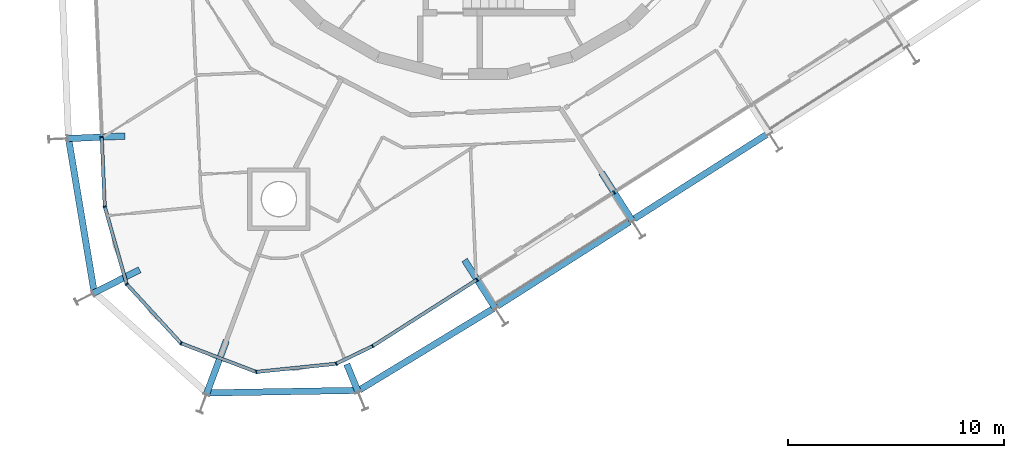
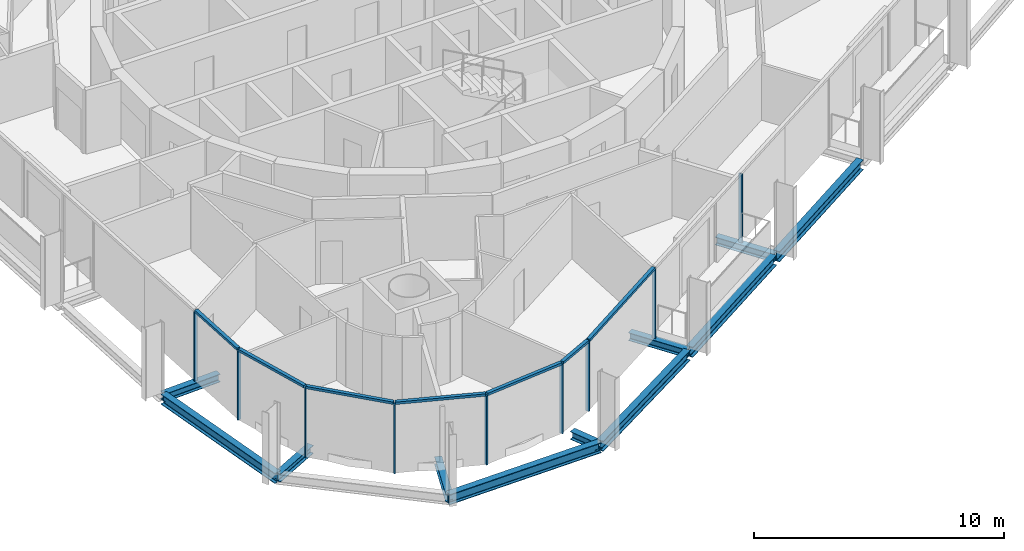
# One storey, part 2 of 18: 16 members, 11 beams, 2 elements without a shape of their own.
"""IFC4 building model written with IfcOpenShell, lengths in metres."""

from ifc_helpers import new_model, si_unit, direction, frame, origin, origin_2d, place, context, subcontext, project, spatial, rectangle, i_section, extrude, material, layer, layer_set, material_profile, profile_set, type_object, element, aggregate, save


model = new_model("IFC4")

# Units and contexts
model_context = context("Model", 3, precision=1e-05, world=origin(), true_north=direction((0.0, 1.0)))
body_context = subcontext(model_context, "Body", "Model", "MODEL_VIEW")
ifc_project = project(units=[si_unit("LENGTHUNIT", "METRE"), si_unit("AREAUNIT", "SQUARE_METRE"), si_unit("VOLUMEUNIT", "CUBIC_METRE"), si_unit("PLANEANGLEUNIT", "RADIAN"), si_unit("MASSUNIT", "GRAM", prefix="KILO")], contexts=[model_context])

# Site, building, storey
site_placement = place(None, origin())
site = spatial("IfcSite", under=ifc_project, at=site_placement, CompositionType="ELEMENT")
building_placement = place(site_placement, origin())
building = spatial("IfcBuilding", under=site, at=building_placement, Name="Spindle Arch Residences", CompositionType="ELEMENT")
storey_placement = place(building_placement, frame((0.0, 0.0, 233.699951171875)))
storey = spatial("IfcBuildingStorey", under=building, at=storey_placement, Name="L59", CompositionType="ELEMENT", Elevation=233.699951171875)

# Curtain wall, members
ifc_material_1 = material(Name="Aluminium bronze unitised frame with tinted glass", Category="aluminium")
ifc_layer_1 = layer(ifc_material_1, 0.159912109375)
ifc_layer_set_1 = layer_set([ifc_layer_1], Name="CW-D corner wall on the fillet arcs")
curtain_wall_type_1 = type_object("IfcCurtainWallType", Name="CW-D corner wall on the fillet arcs", PredefinedType="NOTDEFINED", material=ifc_layer_set_1)
curtain_wall_1_placement = place(storey_placement, origin())
curtain_wall_1 = element("IfcCurtainWall", 1, at=curtain_wall_1_placement, inside=storey, type_object=curtain_wall_type_1, Name="CW-D L59 run 5", PredefinedType="NOTDEFINED")
ifc_material_2 = material(Name="Aluminium bronze anodised mullion", Category="aluminium")
ifc_material_profile_1 = material_profile(ifc_material_2, rectangle(XDim=0.159912109375, YDim=0.06005859375, at=origin_2d()), Name="MU 60x160")
ifc_profile_set_1 = profile_set([ifc_material_profile_1], Name="Aluminium bronze anodised mullion")
member_type_1 = type_object("IfcMemberType", Name="Bronze mullion 60x160", PredefinedType="MULLION", material=ifc_profile_set_1)
member_1_placement = place(storey_placement, frame((-17.295166015625, -14.573486328125, -0.3798828125), z_axis=(0.0, 0.0, 1.0), x_axis=(0.999048221582, 0.043619387365, 0.0)))
member_1 = element("IfcMember", 2, at=member_1_placement, type_object=member_type_1, Name="CW-D mullion 00", PredefinedType="MULLION", context=body_context, shape_type="SweptSolid", body=[
    extrude(rectangle(XDim=0.159912109375, YDim=0.06005859375, at=origin_2d()), origin(), (0.0, 0.0, 1.0), 3.3798828125),
])
member_2_placement = place(storey_placement, frame((-17.154296875, -17.798828125, -0.3798828125), z_axis=(0.0, 0.0, 1.0), x_axis=(0.962059424213, 0.272839997585, 0.0)))
member_2 = element("IfcMember", 3, at=member_2_placement, type_object=member_type_1, Name="CW-D mullion 01", PredefinedType="MULLION", context=body_context, shape_type="SweptSolid", body=[
    extrude(rectangle(XDim=0.159912109375, YDim=0.06005859375, at=origin_2d()), origin(), (0.0, 0.0, 1.0), 3.3798828125),
])
member_3_placement = place(storey_placement, frame((-16.137451171875, -21.384033203125, -0.3798828125), z_axis=(0.0, 0.0, 1.0), x_axis=(0.737277336881, 0.675590207538, 0.0)))
member_3 = element("IfcMember", 4, at=member_3_placement, type_object=member_type_1, Name="CW-D mullion 02", PredefinedType="MULLION", context=body_context, shape_type="SweptSolid", body=[
    extrude(rectangle(XDim=0.159912109375, YDim=0.06005859375, at=origin_2d()), origin(), (0.0, 0.0, 1.0), 3.3798828125),
])
member_4_placement = place(storey_placement, frame((-13.61962890625, -24.1318359375, -0.3798828125), z_axis=(0.0, 0.0, 1.0), x_axis=(0.355650760994, 0.934618925661, 0.0)))
member_4 = element("IfcMember", 5, at=member_4_placement, type_object=member_type_1, Name="CW-D mullion 03", PredefinedType="MULLION", context=body_context, shape_type="SweptSolid", body=[
    extrude(rectangle(XDim=0.159912109375, YDim=0.06005859375, at=origin_2d()), origin(), (0.0, 0.0, 1.0), 3.3798828125),
])
member_5_placement = place(storey_placement, frame((-10.13671875, -25.457275390625, -0.3798828125), z_axis=(0.0, 0.0, 1.0), x_axis=(-0.10163508092, 0.994821748016, 0.0)))
member_5 = element("IfcMember", 6, at=member_5_placement, type_object=member_type_1, Name="CW-D mullion 04", PredefinedType="MULLION", context=body_context, shape_type="SweptSolid", body=[
    extrude(rectangle(XDim=0.159912109375, YDim=0.06005859375, at=origin_2d()), origin(), (0.0, 0.0, 1.0), 3.3798828125),
])
member_6_placement = place(storey_placement, frame((-6.42919921875, -25.078369140625, -0.3798828125), z_axis=(0.0, 0.0, 1.0), x_axis=(-0.435754813823, 0.900065409973, 0.0)))
member_6 = element("IfcMember", 7, at=member_6_placement, type_object=member_type_1, Name="CW-D mullion 05", PredefinedType="MULLION", context=body_context, shape_type="SweptSolid", body=[
    extrude(rectangle(XDim=0.159912109375, YDim=0.06005859375, at=origin_2d()), origin(), (0.0, 0.0, 1.0), 3.3798828125),
])
member_7_placement = place(storey_placement, frame((-4.74072265625, -24.260986328125, -0.3798828125), z_axis=(0.0, 0.0, 1.0), x_axis=(-0.537299608347, 0.843391445813, 0.0)))
member_7 = element("IfcMember", 8, at=member_7_placement, type_object=member_type_1, Name="CW-D mullion 06", PredefinedType="MULLION", context=body_context, shape_type="SweptSolid", body=[
    extrude(rectangle(XDim=0.159912109375, YDim=0.06005859375, at=origin_2d()), origin(), (0.0, 0.0, 1.0), 3.3798828125),
])

ifc_material_3 = material(Name="Aluminium bronze unitised frame with tinted glass", Category="aluminium")
ifc_layer_2 = layer(ifc_material_3, 0.159912109375)
ifc_layer_set_2 = layer_set([ifc_layer_2], Name="CW-C typical residential unitised wall")
curtain_wall_type_2 = type_object("IfcCurtainWallType", Name="CW-C typical residential unitised wall", PredefinedType="NOTDEFINED", material=ifc_layer_set_2)
curtain_wall_2_placement = place(storey_placement, origin())
curtain_wall_2 = element("IfcCurtainWall", 9, at=curtain_wall_2_placement, inside=storey, type_object=curtain_wall_type_2, Name="CW-C L59 run 6", PredefinedType="NOTDEFINED")
member_8_placement = place(storey_placement, frame((0.09912109375, -21.177734375, -0.3798828125), z_axis=(0.0, 0.0, 1.0), x_axis=(-0.537299608347, 0.843391445813, 0.0)))
member_8 = element("IfcMember", 10, at=member_8_placement, type_object=member_type_1, Name="CW-C mullion 20", PredefinedType="MULLION", context=body_context, shape_type="SweptSolid", body=[
    extrude(rectangle(XDim=0.159912109375, YDim=0.06005859375, at=origin_2d()), origin(), (0.0, 0.0, 1.0), 3.3798828125),
])
member_9_placement = place(storey_placement, frame((6.449951171875, -17.1318359375, -0.3798828125), z_axis=(0.0, 0.0, 1.0), x_axis=(-0.537299608347, 0.843391445813, 0.0)))
member_9 = element("IfcMember", 11, at=member_9_placement, type_object=member_type_1, Name="CW-C mullion 21", PredefinedType="MULLION", context=body_context, shape_type="SweptSolid", body=[
    extrude(rectangle(XDim=0.159912109375, YDim=0.06005859375, at=origin_2d()), origin(), (0.0, 0.0, 1.0), 3.3798828125),
])
aggregate(curtain_wall_2, [member_8, member_9])

# Member
ifc_material_4 = material(Name="Aluminium bronze anodised transom", Category="aluminium")
ifc_material_profile_2 = material_profile(ifc_material_4, rectangle(XDim=0.159912109375, YDim=0.1201171875, at=origin_2d()), Name="TR 120x160")
ifc_profile_set_2 = profile_set([ifc_material_profile_2], Name="Aluminium bronze anodised transom")
member_type_2 = type_object("IfcMemberType", Name="Bronze transom 120x160", PredefinedType="USERDEFINED", material=ifc_profile_set_2)
member_10_placement = place(storey_placement, frame((-17.293701171875, -14.603271484375, 3.06005859375), z_axis=(0.043611098121, -0.999048583464, 0.0), x_axis=(0.999048583464, 0.043611098121, 0.0)))
member_10 = element("IfcMember", 12, at=member_10_placement, type_object=member_type_2, Name="CW-D transom 00", ObjectType="TRANSOM", PredefinedType="USERDEFINED", context=body_context, shape_type="SweptSolid", body=[
    extrude(rectangle(XDim=0.159912109375, YDim=0.1201171875, at=origin_2d()), origin(), (0.0, 0.0, 1.0), 3.16845703125),
])

member_11_placement = place(storey_placement, frame((-17.146240234375, -17.82763671875, 3.06005859375), z_axis=(0.272856293247, -0.962054802616, 0.0), x_axis=(0.962054802616, 0.272856293247, 0.0)))
member_11 = element("IfcMember", 13, at=member_11_placement, type_object=member_type_2, Name="CW-D transom 01", ObjectType="TRANSOM", PredefinedType="USERDEFINED", context=body_context, shape_type="SweptSolid", body=[
    extrude(rectangle(XDim=0.159912109375, YDim=0.1201171875, at=origin_2d()), origin(), (0.0, 0.0, 1.0), 3.666748046875),
])

member_12_placement = place(storey_placement, frame((-16.1171875, -21.40625, 3.06005859375), z_axis=(0.675607033687, -0.737261918204, 0.0), x_axis=(0.737261918204, 0.675607033687, 0.0)))
member_12 = element("IfcMember", 14, at=member_12_placement, type_object=member_type_2, Name="CW-D transom 02", ObjectType="TRANSOM", PredefinedType="USERDEFINED", context=body_context, shape_type="SweptSolid", body=[
    extrude(rectangle(XDim=0.159912109375, YDim=0.1201171875, at=origin_2d()), origin(), (0.0, 0.0, 1.0), 3.666748046875),
])

member_13_placement = place(storey_placement, frame((-13.591796875, -24.142578125, 3.06005859375), z_axis=(0.934630056182, -0.355621509587, 0.0), x_axis=(0.355621509587, 0.934630056182, 0.0)))
member_13 = element("IfcMember", 15, at=member_13_placement, type_object=member_type_2, Name="CW-D transom 03", ObjectType="TRANSOM", PredefinedType="USERDEFINED", context=body_context, shape_type="SweptSolid", body=[
    extrude(rectangle(XDim=0.159912109375, YDim=0.1201171875, at=origin_2d()), origin(), (0.0, 0.0, 1.0), 3.666748046875),
])

member_14_placement = place(storey_placement, frame((-10.106689453125, -25.4541015625, 3.06005859375), z_axis=(0.994824669398, 0.101606481862, 0.0), x_axis=(-0.101606481862, 0.994824669398, 0.0)))
member_14 = element("IfcMember", 16, at=member_14_placement, type_object=member_type_2, Name="CW-D transom 04", ObjectType="TRANSOM", PredefinedType="USERDEFINED", context=body_context, shape_type="SweptSolid", body=[
    extrude(rectangle(XDim=0.159912109375, YDim=0.1201171875, at=origin_2d()), origin(), (0.0, 0.0, 1.0), 3.666748046875),
])

member_15_placement = place(storey_placement, frame((-6.402099609375, -25.0654296875, 3.06005859375), z_axis=(0.900028291694, 0.435831474484, 0.0), x_axis=(-0.435831474484, 0.900028291694, 0.0)))
member_15 = element("IfcMember", 17, at=member_15_placement, type_object=member_type_2, Name="CW-D transom 05", ObjectType="TRANSOM", PredefinedType="USERDEFINED", context=body_context, shape_type="SweptSolid", body=[
    extrude(rectangle(XDim=0.159912109375, YDim=0.1201171875, at=origin_2d()), origin(), (0.0, 0.0, 1.0), 1.816162109375),
])

member_16_placement = place(storey_placement, frame((-4.71533203125, -24.244873046875, 3.06005859375), z_axis=(0.843399381096, 0.537287152244, 0.0), x_axis=(-0.537287152244, 0.843399381096, 0.0)))
member_16 = element("IfcMember", 18, at=member_16_placement, type_object=member_type_2, Name="CW-D transom 06", ObjectType="TRANSOM", PredefinedType="USERDEFINED", context=body_context, shape_type="SweptSolid", body=[
    extrude(rectangle(XDim=0.159912109375, YDim=0.1201171875, at=origin_2d()), origin(), (0.0, 0.0, 1.0), 5.678466796875),
])

aggregate(curtain_wall_1, [member_1, member_10, member_2, member_11, member_3, member_12, member_4, member_13, member_5, member_14, member_6, member_15, member_7, member_16])

# Beams
ifc_material_5 = material(Name="Steel S460ML, intumescent coating R 120", Category="steel")
ifc_material_profile_3 = material_profile(ifc_material_5, i_section(OverallWidth=0.300048828125, OverallDepth=0.5, WebThickness=0.014404296875, FlangeThickness=0.028076171875, FilletRadius=0.027099609375, at=origin_2d()), Name="HEB 500")
ifc_profile_set_3 = profile_set([ifc_material_profile_3], Name="Steel S460ML, intumescent coating R 120")
beam_type_1 = type_object("IfcBeamType", Name="Exoskeleton edge beam HEB 500", PredefinedType="BEAM", material=ifc_profile_set_3)
beam_1_placement = place(storey_placement, frame((-18.82763671875, -14.66796875, -0.6298828125), z_axis=(0.164206425822, -0.986425998095, 0.0), x_axis=(0.986425998095, 0.164206425822, 0.0)))
element("IfcBeam", 19, at=beam_1_placement, inside=storey, type_object=beam_type_1, Name="Exoskeleton edge beam 17", PredefinedType="BEAM", context=body_context, shape_type="SweptSolid", body=[
    extrude(i_section(OverallWidth=0.300048828125, OverallDepth=0.5, WebThickness=0.014404296875, FlangeThickness=0.028076171875, FilletRadius=0.027099609375, at=origin_2d()), origin(), (0.0, 0.0, 1.0), 7.196044921875),
])
beam_2_placement = place(storey_placement, frame((-12.4775390625, -26.431884765625, -0.6298828125), z_axis=(0.999854421293, 0.017062714363, 0.0), x_axis=(-0.017062714363, 0.999854421293, 0.0)))
element("IfcBeam", 20, at=beam_2_placement, inside=storey, type_object=beam_type_1, Name="Exoskeleton edge beam 19", PredefinedType="BEAM", context=body_context, shape_type="SweptSolid", body=[
    extrude(i_section(OverallWidth=0.300048828125, OverallDepth=0.5, WebThickness=0.014404296875, FlangeThickness=0.028076171875, FilletRadius=0.027099609375, at=origin_2d()), origin(), (0.0, 0.0, 1.0), 7.096923828125),
])
beam_3_placement = place(storey_placement, frame((-5.353515625, -26.294921875, -0.6298828125), z_axis=(0.854518430604, 0.519421073656, 0.0), x_axis=(-0.519421073656, 0.854518430604, 0.0)))
element("IfcBeam", 21, at=beam_3_placement, inside=storey, type_object=beam_type_1, Name="Exoskeleton edge beam 20", PredefinedType="BEAM", context=body_context, shape_type="SweptSolid", body=[
    extrude(i_section(OverallWidth=0.300048828125, OverallDepth=0.5, WebThickness=0.014404296875, FlangeThickness=0.028076171875, FilletRadius=0.027099609375, at=origin_2d()), origin(), (0.0, 0.0, 1.0), 7.262451171875),
])
for number, where, z_axis, x_axis, name in (
    (22, (1.0361328125, -22.406494140625, -0.6298828125), (0.843406961456, 0.53727525289, 0.0), (-0.53727525289, 0.843406961456, 0.0), "Exoskeleton edge beam 21"),
    (23, (7.386962890625, -18.360595703125, -0.6298828125), (0.843406961456, 0.53727525289, 0.0), (-0.53727525289, 0.843406961456, 0.0), "Exoskeleton edge beam 22"),
):
    element("IfcBeam", number, at=place(storey_placement, frame(where, z_axis=z_axis, x_axis=x_axis)), inside=storey, type_object=beam_type_1, Name=name, PredefinedType="BEAM", context=body_context, shape_type="SweptSolid", body=[
        extrude(i_section(OverallWidth=0.300048828125, OverallDepth=0.5, WebThickness=0.014404296875, FlangeThickness=0.028076171875, FilletRadius=0.027099609375, at=origin_2d()), origin(), (0.0, 0.0, 1.0), 7.27001953125),
    ])
ifc_material_6 = material(Name="Steel S460ML, intumescent coating R 120", Category="steel")
ifc_material_profile_4 = material_profile(ifc_material_6, i_section(OverallWidth=0.300048828125, OverallDepth=0.389892578125, WebThickness=0.010986328125, FlangeThickness=0.01904296875, FilletRadius=0.027099609375, at=origin_2d()), Name="HEA 400")
ifc_profile_set_4 = profile_set([ifc_material_profile_4], Name="Steel S460ML, intumescent coating R 120")
beam_type_2 = type_object("IfcBeamType", Name="Floor outrigger HEA 400", PredefinedType="BEAM", material=ifc_profile_set_4)
beam_4_placement = place(storey_placement, frame((-18.863525390625, -14.641845703125, -0.574951171875), z_axis=(0.999049889571, 0.043581167368, 0.0), x_axis=(-0.043581167368, 0.999049889571, 0.0)))
element("IfcBeam", 24, at=beam_4_placement, inside=storey, type_object=beam_type_2, Name="Floor outrigger 17", PredefinedType="BEAM", context=body_context, shape_type="SweptSolid", body=[
    extrude(i_section(OverallWidth=0.300048828125, OverallDepth=0.389892578125, WebThickness=0.010986328125, FlangeThickness=0.01904296875, FilletRadius=0.027099609375, at=origin_2d()), origin(), (0.0, 0.0, 1.0), 2.649658203125),
])
beam_5_placement = place(storey_placement, frame((-17.687744140625, -21.812744140625, -0.574951171875), z_axis=(0.891781094186, 0.452467103835, 0.0), x_axis=(-0.452467103835, 0.891781094186, 0.0)))
element("IfcBeam", 25, at=beam_5_placement, inside=storey, type_object=beam_type_2, Name="Floor outrigger 18", PredefinedType="BEAM", context=body_context, shape_type="SweptSolid", body=[
    extrude(i_section(OverallWidth=0.300048828125, OverallDepth=0.389892578125, WebThickness=0.010986328125, FlangeThickness=0.01904296875, FilletRadius=0.027099609375, at=origin_2d()), origin(), (0.0, 0.0, 1.0), 2.4130859375),
])
beam_6_placement = place(storey_placement, frame((-12.442626953125, -26.4921875, -0.574951171875), z_axis=(0.348274434102, 0.937392617077, 0.0), x_axis=(-0.937392617077, 0.348274434102, 0.0)))
element("IfcBeam", 26, at=beam_6_placement, inside=storey, type_object=beam_type_2, Name="Floor outrigger 19", PredefinedType="BEAM", context=body_context, shape_type="SweptSolid", body=[
    extrude(i_section(OverallWidth=0.300048828125, OverallDepth=0.389892578125, WebThickness=0.010986328125, FlangeThickness=0.01904296875, FilletRadius=0.027099609375, at=origin_2d()), origin(), (0.0, 0.0, 1.0), 2.64990234375),
])
beam_7_placement = place(storey_placement, frame((-5.41455078125, -26.372314453125, -0.574951171875), z_axis=(-0.380108293875, 0.924941990034, 0.0), x_axis=(-0.924941990034, -0.380108293875, 0.0)))
element("IfcBeam", 27, at=beam_7_placement, inside=storey, type_object=beam_type_2, Name="Floor outrigger 20", PredefinedType="BEAM", context=body_context, shape_type="SweptSolid", body=[
    extrude(i_section(OverallWidth=0.300048828125, OverallDepth=0.389892578125, WebThickness=0.010986328125, FlangeThickness=0.01904296875, FilletRadius=0.027099609375, at=origin_2d()), origin(), (0.0, 0.0, 1.0), 1.37841796875),
])
for number, where, z_axis, x_axis, name in (
    (28, (0.942626953125, -22.501708984375, -0.574951171875), (-0.537316570745, 0.843380639334, 0.0), (-0.843380639334, -0.537316570745, 0.0), "Floor outrigger 21"),
    (29, (7.29345703125, -18.455810546875, -0.574951171875), (-0.537316570745, 0.843380639334, 0.0), (-0.843380639334, -0.537316570745, 0.0), "Floor outrigger 22"),
):
    element("IfcBeam", number, at=place(storey_placement, frame(where, z_axis=z_axis, x_axis=x_axis)), inside=storey, type_object=beam_type_2, Name=name, PredefinedType="BEAM", context=body_context, shape_type="SweptSolid", body=[
        extrude(i_section(OverallWidth=0.300048828125, OverallDepth=0.389892578125, WebThickness=0.010986328125, FlangeThickness=0.01904296875, FilletRadius=0.027099609375, at=origin_2d()), origin(), (0.0, 0.0, 1.0), 2.64990234375),
    ])

save(model, "model.ifc")
